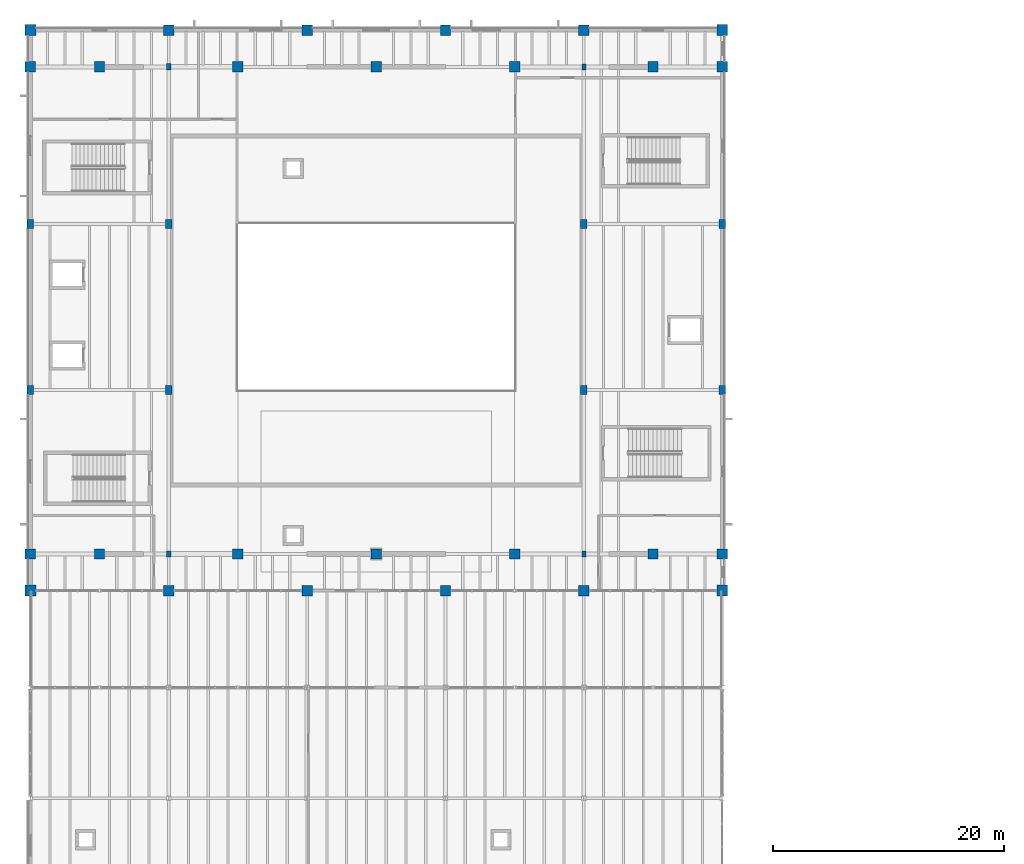
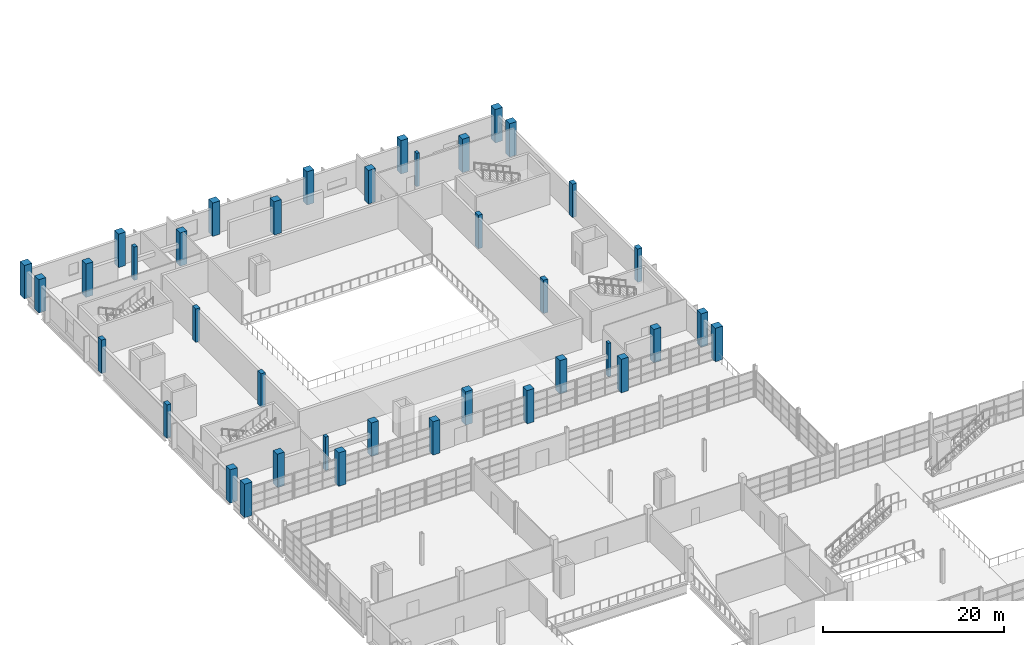
# One storey, part 7 of 114: 38 columns.
"""IFC4 building model written with IfcOpenShell, lengths in metres."""

from ifc_helpers import new_model, si_unit, direction, frame, origin, origin_2d, place, context, subcontext, project, spatial, rectangle, extrude, material, material_profile, profile_set, type_object, element, save


model = new_model("IFC4")

# Units and contexts
model_context = context("Model", 3, precision=1e-05, world=origin(), true_north=direction((0.0, 1.0)))
body_context = subcontext(model_context, "Body", "Model", "MODEL_VIEW")
ifc_project = project(units=[si_unit("LENGTHUNIT", "METRE"), si_unit("AREAUNIT", "SQUARE_METRE"), si_unit("VOLUMEUNIT", "CUBIC_METRE"), si_unit("PLANEANGLEUNIT", "RADIAN"), si_unit("MASSUNIT", "GRAM", prefix="KILO")], contexts=[model_context])

# Site, building, storey
site_placement = place(None, origin())
site = spatial("IfcSite", under=ifc_project, at=site_placement, CompositionType="ELEMENT")
building_placement = place(site_placement, origin())
building = spatial("IfcBuilding", under=site, at=building_placement, Name="Kelmvaro Bay Concert Hall", CompositionType="ELEMENT")
storey_placement = place(building_placement, frame((0.0, 0.0, 4.800048828125)))
storey = spatial("IfcBuildingStorey", under=building, at=storey_placement, Name="L01", CompositionType="ELEMENT", Elevation=4.800048828125)

# Columns
ifc_material_1 = material(Name="Concrete C40/50", Category="concrete")
ifc_material_profile_1 = material_profile(ifc_material_1, rectangle(XDim=0.39990234375, YDim=0.550048828125, at=origin_2d()), Name="RC-PIL-550X400")
ifc_profile_set_1 = profile_set([ifc_material_profile_1], Name="Concrete C40/50")
column_type_1 = type_object("IfcColumnType", Name="Foyer Acoustic Pilaster RC550x400", PredefinedType="PILASTER", material=ifc_profile_set_1)
for number, where, z_axis, x_axis, name in (
    (1, (12.0, 68.580078125, 0.0), (0.0, 0.0, 1.0), (1.0, 0.0, 0.0), "L01 Pilaster PIL-IB-12-6858"),
    (2, (12.0, 110.820068359375, 0.0), (0.0, 0.0, 1.0), (1.0, 0.0, 0.0), "L01 Pilaster PIL-IB-12-11082"),
):
    element("IfcColumn", number, at=place(storey_placement, frame(where, z_axis=z_axis, x_axis=x_axis)), inside=storey, type_object=column_type_1, Name=name, PredefinedType="PILASTER", context=body_context, shape_type="SweptSolid", body=[
        extrude(rectangle(XDim=0.39990234375, YDim=0.550048828125, at=origin_2d()), origin(), (0.0, 0.0, 1.0), 4.5),
    ])
ifc_material_2 = material(Name="Concrete C40/50", Category="concrete")
ifc_material_profile_2 = material_profile(ifc_material_2, rectangle(XDim=0.550048828125, YDim=0.75, at=origin_2d()), Name="RC-COL-750X550")
ifc_profile_set_2 = profile_set([ifc_material_profile_2], Name="Concrete C40/50")
column_type_2 = type_object("IfcColumnType", Name="Gallery Pier Column RC750x550", PredefinedType="COLUMN", material=ifc_profile_set_2)
for number, where, z_axis, x_axis, name in (
    (3, (0.0, 82.800048828125, 0.0), (0.0, 0.0, 1.0), (1.0, 0.0, 0.0), "L01 Column V1G-0-828"),
    (4, (0.0, 97.199951171875, 0.0), (0.0, 0.0, 1.0), (1.0, 0.0, 0.0), "L01 Column V1G-0-972"),
    (5, (12.0, 82.800048828125, 0.0), (0.0, 0.0, 1.0), (1.0, 0.0, 0.0), "L01 Column V1G-12-828"),
    (6, (12.0, 97.199951171875, 0.0), (0.0, 0.0, 1.0), (1.0, 0.0, 0.0), "L01 Column V1G-12-972"),
    (7, (48.0, 82.800048828125, 0.0), (0.0, 0.0, 1.0), (1.0, 0.0, 0.0), "L01 Column V1G-48-828"),
    (8, (48.0, 97.199951171875, 0.0), (0.0, 0.0, 1.0), (1.0, 0.0, 0.0), "L01 Column V1G-48-972"),
    (9, (60.0, 82.800048828125, 0.0), (0.0, 0.0, 1.0), (1.0, 0.0, 0.0), "L01 Column V1G-60-828"),
    (10, (60.0, 97.199951171875, 0.0), (0.0, 0.0, 1.0), (1.0, 0.0, 0.0), "L01 Column V1G-60-972"),
):
    element("IfcColumn", number, at=place(storey_placement, frame(where, z_axis=z_axis, x_axis=x_axis)), inside=storey, type_object=column_type_2, Name=name, PredefinedType="COLUMN", context=body_context, shape_type="SweptSolid", body=[
        extrude(rectangle(XDim=0.550048828125, YDim=0.75, at=origin_2d()), origin(), (0.0, 0.0, 1.0), 4.5),
    ])
ifc_material_3 = material(Name="Concrete C40/50", Category="concrete")
ifc_material_profile_3 = material_profile(ifc_material_3, rectangle(XDim=0.89990234375, YDim=0.89990234375, at=origin_2d()), Name="RC-COL-900X900")
ifc_profile_set_3 = profile_set([ifc_material_profile_3], Name="Concrete C40/50")
column_type_3 = type_object("IfcColumnType", Name="Hall Pier Column RC900x900", PredefinedType="COLUMN", material=ifc_profile_set_3)
for number, where, z_axis, x_axis, name in (
    (11, (12.0, 65.39990234375, 0.0), (0.0, 0.0, 1.0), (1.0, 0.0, 0.0), "L01 Column V1P-12-654"),
    (12, (12.0, 114.0, 0.0), (0.0, 0.0, 1.0), (1.0, 0.0, 0.0), "L01 Column V1P-12-1140"),
    (13, (24.0, 65.39990234375, 0.0), (0.0, 0.0, 1.0), (1.0, 0.0, 0.0), "L01 Column V1P-24-654"),
    (14, (24.0, 114.0, 0.0), (0.0, 0.0, 1.0), (1.0, 0.0, 0.0), "L01 Column V1P-24-1140"),
    (15, (36.0, 65.39990234375, 0.0), (0.0, 0.0, 1.0), (1.0, 0.0, 0.0), "L01 Column V1P-36-654"),
    (16, (36.0, 114.0, 0.0), (0.0, 0.0, 1.0), (1.0, 0.0, 0.0), "L01 Column V1P-36-1140"),
    (17, (48.0, 65.39990234375, 0.0), (0.0, 0.0, 1.0), (1.0, 0.0, 0.0), "L01 Column V1P-48-654"),
    (18, (48.0, 114.0, 0.0), (0.0, 0.0, 1.0), (1.0, 0.0, 0.0), "L01 Column V1P-48-1140"),
    (19, (0.0, 68.580078125, 0.0), (0.0, 0.0, 1.0), (1.0, 0.0, 0.0), "L01 Column V1S-0-6858"),
    (20, (0.0, 110.820068359375, 0.0), (0.0, 0.0, 1.0), (1.0, 0.0, 0.0), "L01 Column V1S-0-11082"),
    (21, (6.0, 68.580078125, 0.0), (0.0, 0.0, 1.0), (1.0, 0.0, 0.0), "L01 Column V1S-6-6858"),
    (22, (6.0, 110.820068359375, 0.0), (0.0, 0.0, 1.0), (1.0, 0.0, 0.0), "L01 Column V1S-6-11082"),
    (23, (18.0, 68.580078125, 0.0), (0.0, 0.0, 1.0), (1.0, 0.0, 0.0), "L01 Column V1S-18-6858"),
    (24, (18.0, 110.820068359375, 0.0), (0.0, 0.0, 1.0), (1.0, 0.0, 0.0), "L01 Column V1S-18-11082"),
    (25, (30.0, 68.580078125, 0.0), (0.0, 0.0, 1.0), (1.0, 0.0, 0.0), "L01 Column V1S-30-6858"),
    (26, (30.0, 110.820068359375, 0.0), (0.0, 0.0, 1.0), (1.0, 0.0, 0.0), "L01 Column V1S-30-11082"),
    (27, (42.0, 68.580078125, 0.0), (0.0, 0.0, 1.0), (1.0, 0.0, 0.0), "L01 Column V1S-42-6858"),
    (28, (42.0, 110.820068359375, 0.0), (0.0, 0.0, 1.0), (1.0, 0.0, 0.0), "L01 Column V1S-42-11082"),
    (29, (54.0, 68.580078125, 0.0), (0.0, 0.0, 1.0), (1.0, 0.0, 0.0), "L01 Column V1S-54-6858"),
    (30, (54.0, 110.820068359375, 0.0), (0.0, 0.0, 1.0), (1.0, 0.0, 0.0), "L01 Column V1S-54-11082"),
    (31, (60.0, 68.580078125, 0.0), (0.0, 0.0, 1.0), (1.0, 0.0, 0.0), "L01 Column V1S-60-6858"),
    (32, (60.0, 110.820068359375, 0.0), (0.0, 0.0, 1.0), (1.0, 0.0, 0.0), "L01 Column V1S-60-11082"),
):
    element("IfcColumn", number, at=place(storey_placement, frame(where, z_axis=z_axis, x_axis=x_axis)), inside=storey, type_object=column_type_3, Name=name, PredefinedType="COLUMN", context=body_context, shape_type="SweptSolid", body=[
        extrude(rectangle(XDim=0.89990234375, YDim=0.89990234375, at=origin_2d()), origin(), (0.0, 0.0, 1.0), 4.5),
    ])
ifc_material_4 = material(Name="Concrete C40/50", Category="concrete")
ifc_material_profile_4 = material_profile(ifc_material_4, rectangle(XDim=0.949951171875, YDim=0.949951171875, at=origin_2d()), Name="RC-COL-950X950")
ifc_profile_set_4 = profile_set([ifc_material_profile_4], Name="Concrete C40/50")
column_type_4 = type_object("IfcColumnType", Name="Shell Corner Pier Column RC950x950", PredefinedType="COLUMN", material=ifc_profile_set_4)
for number, where, z_axis, x_axis, name in (
    (33, (0.0, 65.39990234375, 0.0), (0.0, 0.0, 1.0), (1.0, 0.0, 0.0), "L01 Column V1P-0-654"),
    (34, (0.0, 114.0, 0.0), (0.0, 0.0, 1.0), (1.0, 0.0, 0.0), "L01 Column V1P-0-1140"),
    (35, (60.0, 65.39990234375, 0.0), (0.0, 0.0, 1.0), (1.0, 0.0, 0.0), "L01 Column V1P-60-654"),
    (36, (60.0, 114.0, 0.0), (0.0, 0.0, 1.0), (1.0, 0.0, 0.0), "L01 Column V1P-60-1140"),
):
    element("IfcColumn", number, at=place(storey_placement, frame(where, z_axis=z_axis, x_axis=x_axis)), inside=storey, type_object=column_type_4, Name=name, PredefinedType="COLUMN", context=body_context, shape_type="SweptSolid", body=[
        extrude(rectangle(XDim=0.949951171875, YDim=0.949951171875, at=origin_2d()), origin(), (0.0, 0.0, 1.0), 4.5),
    ])
ifc_material_5 = material(Name="Concrete C40/50", Category="concrete")
ifc_material_profile_5 = material_profile(ifc_material_5, rectangle(XDim=0.35009765625, YDim=0.5, at=origin_2d()), Name="RC-PIL-500X350")
ifc_profile_set_5 = profile_set([ifc_material_profile_5], Name="Concrete C40/50")
column_type_5 = type_object("IfcColumnType", Name="Stage Wall Pilaster RC500x350", PredefinedType="PILASTER", material=ifc_profile_set_5)
for number, where, z_axis, x_axis, name in (
    (37, (48.0, 68.580078125, 0.0), (0.0, 0.0, 1.0), (1.0, 0.0, 0.0), "L01 Pilaster PIL-IB-48-6858"),
    (38, (48.0, 110.820068359375, 0.0), (0.0, 0.0, 1.0), (1.0, 0.0, 0.0), "L01 Pilaster PIL-IB-48-11082"),
):
    element("IfcColumn", number, at=place(storey_placement, frame(where, z_axis=z_axis, x_axis=x_axis)), inside=storey, type_object=column_type_5, Name=name, PredefinedType="PILASTER", context=body_context, shape_type="SweptSolid", body=[
        extrude(rectangle(XDim=0.35009765625, YDim=0.5, at=origin_2d()), origin(), (0.0, 0.0, 1.0), 4.5),
    ])

save(model, "model.ifc")
